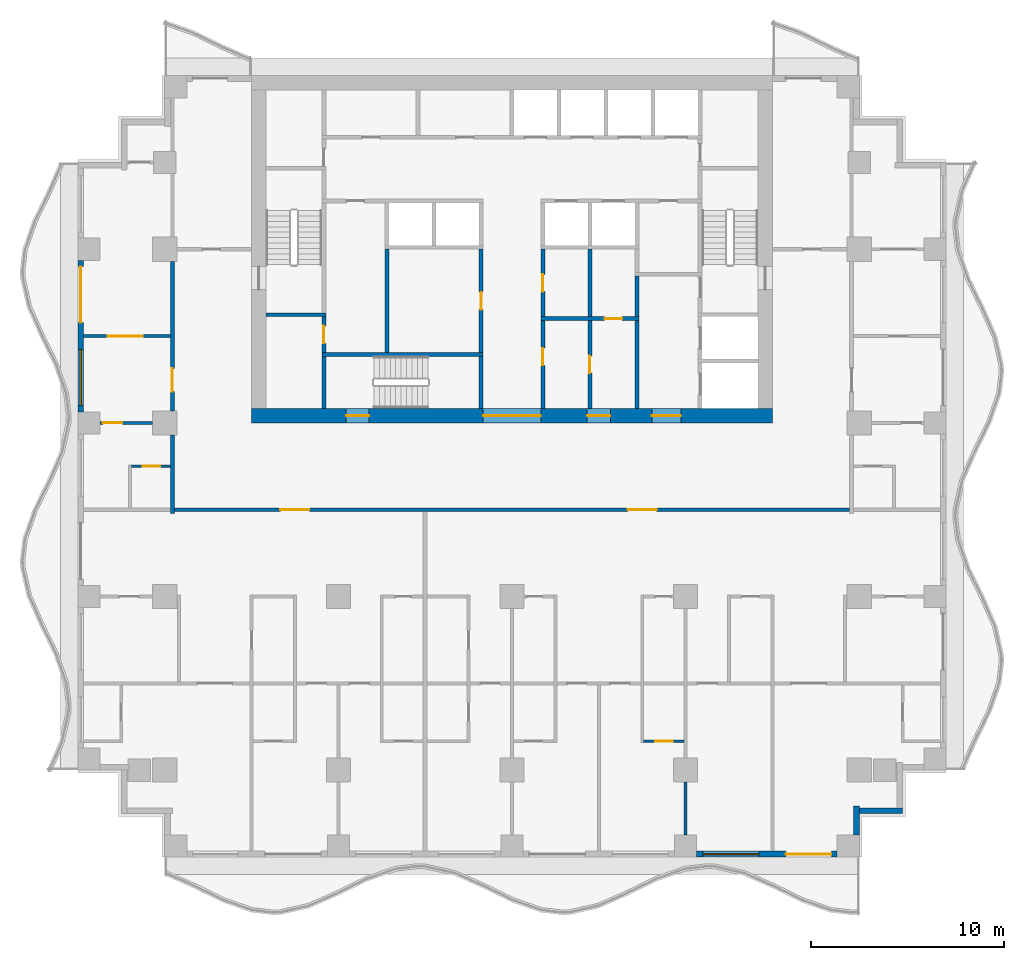
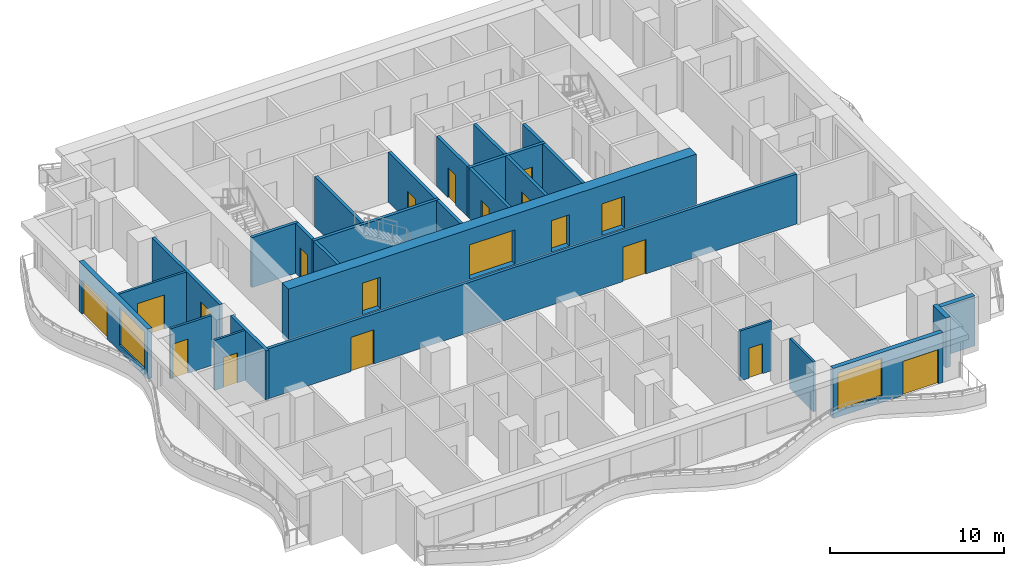
# One storey, part 3 of 10: 27 walls, 19 doors, 2 windows, 21 openings.
"""IFC4 building model written with IfcOpenShell, lengths in metres."""

from ifc_helpers import new_model, si_unit, direction, frame, frame_2d, origin, place, context, subcontext, project, spatial, rectangle, extrude, material, layer, layer_set, type_object, element, fill, save


model = new_model("IFC4")

# Units and contexts
model_context = context("Model", 3, precision=1e-05, world=origin(), true_north=direction((0.0, 1.0)))
body_context = subcontext(model_context, "Body", "Model", "MODEL_VIEW")
ifc_project = project(units=[si_unit("LENGTHUNIT", "METRE"), si_unit("AREAUNIT", "SQUARE_METRE"), si_unit("VOLUMEUNIT", "CUBIC_METRE"), si_unit("PLANEANGLEUNIT", "RADIAN"), si_unit("MASSUNIT", "GRAM", prefix="KILO")], contexts=[model_context])

# Site, building, storey
site_placement = place(None, origin())
site = spatial("IfcSite", under=ifc_project, at=site_placement, CompositionType="ELEMENT")
building_placement = place(site_placement, origin())
building = spatial("IfcBuilding", under=site, at=building_placement, Name="Orbiselva Terraces", CompositionType="ELEMENT")
storey_placement = place(building_placement, frame((0.0, 0.0, 140.2)))
storey = spatial("IfcBuildingStorey", under=building, at=storey_placement, Name="L35", CompositionType="ELEMENT", Elevation=140.2)

# Wall, openings, doors
ifc_material_1 = material(Name="Concrete C80/95", Category="concrete")
ifc_layer_1 = layer(ifc_material_1, 0.75)
ifc_layer_set_1 = layer_set([ifc_layer_1], Name="Concrete C80/95")
wall_type_1 = type_object("IfcWallType", Name="CORE WALL 750", PredefinedType="SHEAR", material=ifc_layer_set_1)
wall_1_placement = place(storey_placement, frame((-13.5, 4.875, -0.3), z_axis=(0.0, 0.0, 1.0), x_axis=(1.0, 0.0, 0.0)))
wall_1 = element("IfcWall", 1, at=wall_1_placement, inside=storey, type_object=wall_type_1, Name="Core wall L35 south", PredefinedType="SHEAR", context=body_context, shape_type="SweptSolid", body=[
    extrude(rectangle(XDim=27.0, YDim=0.75, at=frame_2d((13.5, 0.0))), origin(), (0.0, 0.0, 1.0), 3.8),
])
opening_1_placement = place(wall_1_placement, frame((12.0, 0.0, 0.3)))
opening_1 = element("IfcOpeningElement", 2, at=opening_1_placement, cuts=wall_1, Name="Opening DL3000", PredefinedType="OPENING", context=body_context, shape_type="SweptSolid", body=[
    extrude(rectangle(XDim=3.0, YDim=2.4, at=frame_2d((1.5, 1.2))), frame((0.0, 0.385, 0.0), z_axis=(0.0, -1.0, 0.0), x_axis=(1.0, 0.0, 0.0)), (0.0, 0.0, 1.0), 0.77),
])
opening_2_placement = place(wall_1_placement, frame((4.9, 0.0, 0.3)))
opening_2 = element("IfcOpeningElement", 3, at=opening_2_placement, cuts=wall_1, Name="Opening DS1200", PredefinedType="OPENING", context=body_context, shape_type="SweptSolid", body=[
    extrude(rectangle(XDim=1.2, YDim=2.2, at=frame_2d((0.6, 1.1))), frame((0.0, 0.385, 0.0), z_axis=(0.0, -1.0, 0.0), x_axis=(1.0, 0.0, 0.0)), (0.0, 0.0, 1.0), 0.77),
])
opening_3_placement = place(wall_1_placement, frame((20.75, 0.0, 0.3)))
opening_3 = element("IfcOpeningElement", 4, at=opening_3_placement, cuts=wall_1, Name="Opening DF1500", PredefinedType="OPENING", context=body_context, shape_type="SweptSolid", body=[
    extrude(rectangle(XDim=1.5, YDim=2.2, at=frame_2d((0.75, 1.1))), frame((0.0, 0.385, 0.0), z_axis=(0.0, -1.0, 0.0), x_axis=(1.0, 0.0, 0.0)), (0.0, 0.0, 1.0), 0.77),
])
opening_4_placement = place(wall_1_placement, frame((17.4, 0.0, 0.3)))
opening_4 = element("IfcOpeningElement", 5, at=opening_4_placement, cuts=wall_1, Name="Opening DV1200", PredefinedType="OPENING", context=body_context, shape_type="SweptSolid", body=[
    extrude(rectangle(XDim=1.2, YDim=2.2, at=frame_2d((0.6, 1.1))), frame((0.0, 0.385, 0.0), z_axis=(0.0, -1.0, 0.0), x_axis=(1.0, 0.0, 0.0)), (0.0, 0.0, 1.0), 0.77),
])
ifc_material_2 = material(Name="Steel fire door", Category="steel")
door_type_1 = type_object("IfcDoorType", Name="FFL DOOR 1500", OperationType="DOUBLE_DOOR_SINGLE_SWING", PredefinedType="DOOR", material=ifc_material_2)
door_1_placement = place(opening_3_placement, frame((1.5, 0.0, 0.0), z_axis=(0.0, 0.0, 1.0), x_axis=(-1.0, 0.0, 0.0)))
door_1 = element("IfcDoor", 6, at=door_1_placement, inside=storey, type_object=door_type_1, Name="L35 FIRE-FIGHTING LOBBY door", OperationType="DOUBLE_DOOR_SINGLE_SWING", OverallHeight=2.2, OverallWidth=1.5, PredefinedType="DOOR", context=body_context, shape_type="SweptSolid", body=[
    extrude(rectangle(XDim=1.5, YDim=2.2, at=frame_2d((0.75, 1.1))), frame((0.0, 0.025, 0.0), z_axis=(0.0, -1.0, 0.0), x_axis=(1.0, 0.0, 0.0)), (0.0, 0.0, 1.0), 0.05),
])
fill(opening_3, door_1)
door_type_2 = type_object("IfcDoorType", Name="LOBBY DOOR 3000", OperationType="DOUBLE_DOOR_SINGLE_SWING", PredefinedType="DOOR", material=ifc_material_2)
door_2_placement = place(opening_1_placement, frame((3.0, 0.0, 0.0), z_axis=(0.0, 0.0, 1.0), x_axis=(-1.0, 0.0, 0.0)))
door_2 = element("IfcDoor", 7, at=door_2_placement, inside=storey, type_object=door_type_2, Name="L35 LIFT LOBBY door", OperationType="DOUBLE_DOOR_SINGLE_SWING", OverallHeight=2.4, OverallWidth=3.0, PredefinedType="DOOR", context=body_context, shape_type="SweptSolid", body=[
    extrude(rectangle(XDim=3.0, YDim=2.4, at=frame_2d((1.5, 1.2))), frame((0.0, 0.025, 0.0), z_axis=(0.0, -1.0, 0.0), x_axis=(1.0, 0.0, 0.0)), (0.0, 0.0, 1.0), 0.05),
])
fill(opening_1, door_2)
door_type_3 = type_object("IfcDoorType", Name="SERVICE DOOR 1200", OperationType="NOTDEFINED", PredefinedType="DOOR", material=ifc_material_2)
door_3_placement = place(opening_4_placement, frame((1.2, 0.0, 0.0), z_axis=(0.0, 0.0, 1.0), x_axis=(-1.0, 0.0, 0.0)))
door_3 = element("IfcDoor", 8, at=door_3_placement, inside=storey, type_object=door_type_3, Name="L35 SPARE PARTS STORE door", OperationType="SINGLE_SWING_RIGHT", OverallHeight=2.2, OverallWidth=1.2, PredefinedType="DOOR", context=body_context, shape_type="SweptSolid", body=[
    extrude(rectangle(XDim=1.2, YDim=2.2, at=frame_2d((0.6, 1.1))), frame((0.0, 0.025, 0.0), z_axis=(0.0, -1.0, 0.0), x_axis=(1.0, 0.0, 0.0)), (0.0, 0.0, 1.0), 0.05),
])
fill(opening_4, door_3)
door_type_4 = type_object("IfcDoorType", Name="STAIR DOOR 1200", OperationType="NOTDEFINED", PredefinedType="DOOR", material=ifc_material_2)
door_4_placement = place(opening_2_placement, frame((1.2, 0.0, 0.0), z_axis=(0.0, 0.0, 1.0), x_axis=(-1.0, 0.0, 0.0)))
door_4 = element("IfcDoor", 9, at=door_4_placement, inside=storey, type_object=door_type_4, Name="L35 EXIT STAIR S3 door", OperationType="SINGLE_SWING_LEFT", OverallHeight=2.2, OverallWidth=1.2, PredefinedType="DOOR", context=body_context, shape_type="SweptSolid", body=[
    extrude(rectangle(XDim=1.2, YDim=2.2, at=frame_2d((0.6, 1.1))), frame((0.0, 0.025, 0.0), z_axis=(0.0, -1.0, 0.0), x_axis=(1.0, 0.0, 0.0)), (0.0, 0.0, 1.0), 0.05),
])
fill(opening_2, door_4)

# Wall, opening, door
ifc_material_3 = material(Name="Masonry blockwork", Category="masonry")
ifc_layer_2 = layer(ifc_material_3, 0.2)
ifc_layer_set_2 = layer_set([ifc_layer_2], Name="Masonry blockwork")
wall_type_2 = type_object("IfcWallType", Name="CORE-WALL-PARTITION-200", PredefinedType="PARTITIONING", material=ifc_layer_set_2)
wall_2_placement = place(storey_placement, frame((-9.75, 8.15, 0.0), z_axis=(0.0, 0.0, 1.0), x_axis=(0.0, 1.0, 0.0)))
wall_2 = element("IfcWall", 10, at=wall_2_placement, inside=storey, type_object=wall_type_2, Name="L35 core wall 05", PredefinedType="PARTITIONING", context=body_context, shape_type="SweptSolid", body=[
    extrude(rectangle(XDim=1.85, YDim=0.2, at=frame_2d((0.925, 0.0))), origin(), (0.0, 0.0, 1.0), 3.5),
])
opening_5_placement = place(wall_2_placement, frame((0.475, 0.0, 0.0)))
opening_5 = element("IfcOpeningElement", 11, at=opening_5_placement, cuts=wall_2, Name="Opening DR900", PredefinedType="OPENING", context=body_context, shape_type="SweptSolid", body=[
    extrude(rectangle(XDim=0.9, YDim=2.1, at=frame_2d((0.45, 1.05))), frame((0.0, 0.11, 0.0), z_axis=(0.0, -1.0, 0.0), x_axis=(1.0, 0.0, 0.0)), (0.0, 0.0, 1.0), 0.22),
])
door_type_5 = type_object("IfcDoorType", Name="ROOM DOOR 900", OperationType="NOTDEFINED", PredefinedType="DOOR", material=ifc_material_2)
door_5_placement = place(opening_5_placement, origin())
door_5 = element("IfcDoor", 12, at=door_5_placement, inside=storey, type_object=door_type_5, Name="L35 STAFF WC door", OperationType="SINGLE_SWING_RIGHT", OverallHeight=2.1, OverallWidth=0.9, PredefinedType="DOOR", context=body_context, shape_type="SweptSolid", body=[
    extrude(rectangle(XDim=0.9, YDim=2.1, at=frame_2d((0.45, 1.05))), frame((0.0, 0.025, 0.0), z_axis=(0.0, -1.0, 0.0), x_axis=(1.0, 0.0, 0.0)), (0.0, 0.0, 1.0), 0.05),
])
fill(opening_5, door_5)

# Wall
wall_3_placement = place(storey_placement, frame((-6.475, 8.15, 0.0), z_axis=(0.0, 0.0, 1.0), x_axis=(0.0, 1.0, 0.0)))
element("IfcWall", 13, at=wall_3_placement, inside=storey, type_object=wall_type_2, Name="L35 core wall 12", PredefinedType="PARTITIONING", context=body_context, shape_type="SweptSolid", body=[
    extrude(rectangle(XDim=5.35, YDim=0.2, at=frame_2d((2.675, 0.0))), origin(), (0.0, 0.0, 1.0), 3.5),
])

# Wall, opening, door
wall_4_placement = place(storey_placement, frame((4.0375, 9.8, 0.0), z_axis=(0.0, 0.0, 1.0), x_axis=(0.0, -1.0, 0.0)))
wall_4 = element("IfcWall", 14, at=wall_4_placement, inside=storey, type_object=wall_type_2, Name="L35 core wall 28", PredefinedType="PARTITIONING", context=body_context, shape_type="SweptSolid", body=[
    extrude(rectangle(XDim=4.55, YDim=0.2, at=frame_2d((2.275, 0.0))), origin(), (0.0, 0.0, 1.0), 3.5),
])
opening_6_placement = place(wall_4_placement, frame((1.825, 0.0, 0.0)))
opening_6 = element("IfcOpeningElement", 15, at=opening_6_placement, cuts=wall_4, Name="Opening DR900", PredefinedType="OPENING", context=body_context, shape_type="SweptSolid", body=[
    extrude(rectangle(XDim=0.9, YDim=2.1, at=frame_2d((0.45, 1.05))), frame((0.0, 0.11, 0.0), z_axis=(0.0, -1.0, 0.0), x_axis=(1.0, 0.0, 0.0)), (0.0, 0.0, 1.0), 0.22),
])
door_6_placement = place(opening_6_placement, origin())
door_6 = element("IfcDoor", 16, at=door_6_placement, inside=storey, type_object=door_type_5, Name="L35 SPARE PARTS STORE door", OperationType="SINGLE_SWING_LEFT", OverallHeight=2.1, OverallWidth=0.9, PredefinedType="DOOR", context=body_context, shape_type="SweptSolid", body=[
    extrude(rectangle(XDim=0.9, YDim=2.1, at=frame_2d((0.45, 1.05))), frame((0.0, 0.025, 0.0), z_axis=(0.0, -1.0, 0.0), x_axis=(1.0, 0.0, 0.0)), (0.0, 0.0, 1.0), 0.05),
])
fill(opening_6, door_6)

# Walls
wall_5_placement = place(storey_placement, frame((4.0375, 10.0, 0.0), z_axis=(0.0, 0.0, 1.0), x_axis=(0.0, 1.0, 0.0)))
element("IfcWall", 17, at=wall_5_placement, inside=storey, type_object=wall_type_2, Name="L35 core wall 29", PredefinedType="PARTITIONING", context=body_context, shape_type="SweptSolid", body=[
    extrude(rectangle(XDim=3.5, YDim=0.2, at=frame_2d((1.75, 0.0))), origin(), (0.0, 0.0, 1.0), 3.5),
])
ifc_material_4 = material(Name="Concrete C60/75", Category="concrete")
ifc_layer_3 = layer(ifc_material_4, 0.2)
ifc_layer_set_3 = layer_set([ifc_layer_3], Name="Concrete C60/75")
wall_type_3 = type_object("IfcWallType", Name="CORE-WALL-SHEAR-200", PredefinedType="SHEAR", material=ifc_layer_set_3)
wall_6_placement = place(storey_placement, frame((-12.75, 10.1, 0.0), z_axis=(0.0, 0.0, 1.0), x_axis=(1.0, 0.0, 0.0)))
element("IfcWall", 18, at=wall_6_placement, inside=storey, type_object=wall_type_3, Name="L35 core wall 01", PredefinedType="SHEAR", context=body_context, shape_type="SweptSolid", body=[
    extrude(rectangle(XDim=3.1, YDim=0.2, at=frame_2d((1.55, 0.0))), origin(), (0.0, 0.0, 1.0), 3.5),
])
wall_7_placement = place(storey_placement, frame((-9.75, 5.25, 0.0), z_axis=(0.0, 0.0, 1.0), x_axis=(0.0, 1.0, 0.0)))
element("IfcWall", 19, at=wall_7_placement, inside=storey, type_object=wall_type_3, Name="L35 core wall 03", PredefinedType="SHEAR", context=body_context, shape_type="SweptSolid", body=[
    extrude(rectangle(XDim=2.7, YDim=0.2, at=frame_2d((1.35, 0.0))), origin(), (0.0, 0.0, 1.0), 3.5),
])
wall_8_placement = place(storey_placement, frame((-9.85, 8.05, 0.0), z_axis=(0.0, 0.0, 1.0), x_axis=(1.0, 0.0, 0.0)))
element("IfcWall", 20, at=wall_8_placement, inside=storey, type_object=wall_type_3, Name="L35 core wall 04", PredefinedType="SHEAR", context=body_context, shape_type="SweptSolid", body=[
    extrude(rectangle(XDim=8.35, YDim=0.2, at=frame_2d((4.175, 0.0))), origin(), (0.0, 0.0, 1.0), 3.5),
])
wall_9_placement = place(storey_placement, frame((-1.6, 5.25, 0.0), z_axis=(0.0, 0.0, 1.0), x_axis=(0.0, 1.0, 0.0)))
element("IfcWall", 21, at=wall_9_placement, inside=storey, type_object=wall_type_3, Name="L35 core wall 17", PredefinedType="SHEAR", context=body_context, shape_type="SweptSolid", body=[
    extrude(rectangle(XDim=2.7, YDim=0.2, at=frame_2d((1.35, 0.0))), origin(), (0.0, 0.0, 1.0), 3.5),
])

# Wall, opening, door
wall_10_placement = place(storey_placement, frame((-1.6, 8.15, 0.0), z_axis=(0.0, 0.0, 1.0), x_axis=(0.0, 1.0, 0.0)))
wall_10 = element("IfcWall", 22, at=wall_10_placement, inside=storey, type_object=wall_type_3, Name="L35 core wall 18", PredefinedType="SHEAR", context=body_context, shape_type="SweptSolid", body=[
    extrude(rectangle(XDim=5.35, YDim=0.2, at=frame_2d((2.675, 0.0))), origin(), (0.0, 0.0, 1.0), 3.5),
])
opening_7_placement = place(wall_10_placement, frame((2.225, 0.0, 0.0)))
opening_7 = element("IfcOpeningElement", 23, at=opening_7_placement, cuts=wall_10, Name="Opening DR900", PredefinedType="OPENING", context=body_context, shape_type="SweptSolid", body=[
    extrude(rectangle(XDim=0.9, YDim=2.1, at=frame_2d((0.45, 1.05))), frame((0.0, 0.11, 0.0), z_axis=(0.0, -1.0, 0.0), x_axis=(1.0, 0.0, 0.0)), (0.0, 0.0, 1.0), 0.22),
])
door_7_placement = place(opening_7_placement, origin())
door_7 = element("IfcDoor", 24, at=door_7_placement, inside=storey, type_object=door_type_5, Name="L35 HOUSEKEEPING STORE door", OperationType="SINGLE_SWING_RIGHT", OverallHeight=2.1, OverallWidth=0.9, PredefinedType="DOOR", context=body_context, shape_type="SweptSolid", body=[
    extrude(rectangle(XDim=0.9, YDim=2.1, at=frame_2d((0.45, 1.05))), frame((0.0, 0.025, 0.0), z_axis=(0.0, -1.0, 0.0), x_axis=(1.0, 0.0, 0.0)), (0.0, 0.0, 1.0), 0.05),
])
fill(opening_7, door_7)

wall_11_placement = place(storey_placement, frame((1.6, 9.8, 0.0), z_axis=(0.0, 0.0, 1.0), x_axis=(0.0, -1.0, 0.0)))
wall_11 = element("IfcWall", 25, at=wall_11_placement, inside=storey, type_object=wall_type_3, Name="L35 core wall 21", PredefinedType="SHEAR", context=body_context, shape_type="SweptSolid", body=[
    extrude(rectangle(XDim=4.55, YDim=0.2, at=frame_2d((2.275, 0.0))), origin(), (0.0, 0.0, 1.0), 3.5),
])
opening_8_placement = place(wall_11_placement, frame((1.425, 0.0, 0.0)))
opening_8 = element("IfcOpeningElement", 26, at=opening_8_placement, cuts=wall_11, Name="Opening DR900", PredefinedType="OPENING", context=body_context, shape_type="SweptSolid", body=[
    extrude(rectangle(XDim=0.9, YDim=2.1, at=frame_2d((0.45, 1.05))), frame((0.0, 0.11, 0.0), z_axis=(0.0, -1.0, 0.0), x_axis=(1.0, 0.0, 0.0)), (0.0, 0.0, 1.0), 0.22),
])
door_8_placement = place(opening_8_placement, origin())
door_8 = element("IfcDoor", 27, at=door_8_placement, inside=storey, type_object=door_type_5, Name="L35 ELECTRICAL ROOM door", OperationType="SINGLE_SWING_LEFT", OverallHeight=2.1, OverallWidth=0.9, PredefinedType="DOOR", context=body_context, shape_type="SweptSolid", body=[
    extrude(rectangle(XDim=0.9, YDim=2.1, at=frame_2d((0.45, 1.05))), frame((0.0, 0.025, 0.0), z_axis=(0.0, -1.0, 0.0), x_axis=(1.0, 0.0, 0.0)), (0.0, 0.0, 1.0), 0.05),
])
fill(opening_8, door_8)

wall_12_placement = place(storey_placement, frame((1.5, 9.9, 0.0), z_axis=(0.0, 0.0, 1.0), x_axis=(1.0, 0.0, 0.0)))
wall_12 = element("IfcWall", 28, at=wall_12_placement, inside=storey, type_object=wall_type_3, Name="L35 core wall 22", PredefinedType="SHEAR", context=body_context, shape_type="SweptSolid", body=[
    extrude(rectangle(XDim=5.075, YDim=0.2, at=frame_2d((2.5375, 0.0))), origin(), (0.0, 0.0, 1.0), 3.5),
])
opening_9_placement = place(wall_12_placement, frame((3.3062, 0.0, 0.0)))
opening_9 = element("IfcOpeningElement", 29, at=opening_9_placement, cuts=wall_12, Name="Opening DR900", PredefinedType="OPENING", context=body_context, shape_type="SweptSolid", body=[
    extrude(rectangle(XDim=0.9, YDim=2.1, at=frame_2d((0.45, 1.05))), frame((0.0, 0.11, 0.0), z_axis=(0.0, -1.0, 0.0), x_axis=(1.0, 0.0, 0.0)), (0.0, 0.0, 1.0), 0.22),
])
door_9_placement = place(opening_9_placement, origin())
door_9 = element("IfcDoor", 30, at=door_9_placement, inside=storey, type_object=door_type_5, Name="L35 LINEN STORE door", OperationType="SINGLE_SWING_RIGHT", OverallHeight=2.1, OverallWidth=0.9, PredefinedType="DOOR", context=body_context, shape_type="SweptSolid", body=[
    extrude(rectangle(XDim=0.9, YDim=2.1, at=frame_2d((0.45, 1.05))), frame((0.0, 0.025, 0.0), z_axis=(0.0, -1.0, 0.0), x_axis=(1.0, 0.0, 0.0)), (0.0, 0.0, 1.0), 0.05),
])
fill(opening_9, door_9)

wall_13_placement = place(storey_placement, frame((1.6, 13.5, 0.0), z_axis=(0.0, 0.0, 1.0), x_axis=(0.0, -1.0, 0.0)))
wall_13 = element("IfcWall", 31, at=wall_13_placement, inside=storey, type_object=wall_type_3, Name="L35 core wall 23", PredefinedType="SHEAR", context=body_context, shape_type="SweptSolid", body=[
    extrude(rectangle(XDim=3.5, YDim=0.2, at=frame_2d((1.75, 0.0))), origin(), (0.0, 0.0, 1.0), 3.5),
])
opening_10_placement = place(wall_13_placement, frame((1.3, 0.0, 0.0)))
opening_10 = element("IfcOpeningElement", 32, at=opening_10_placement, cuts=wall_13, Name="Opening DR900", PredefinedType="OPENING", context=body_context, shape_type="SweptSolid", body=[
    extrude(rectangle(XDim=0.9, YDim=2.1, at=frame_2d((0.45, 1.05))), frame((0.0, 0.11, 0.0), z_axis=(0.0, -1.0, 0.0), x_axis=(1.0, 0.0, 0.0)), (0.0, 0.0, 1.0), 0.22),
])
door_10_placement = place(opening_10_placement, origin())
door_10 = element("IfcDoor", 33, at=door_10_placement, inside=storey, type_object=door_type_5, Name="L35 COMMS ROOM door", OperationType="SINGLE_SWING_RIGHT", OverallHeight=2.1, OverallWidth=0.9, PredefinedType="DOOR", context=body_context, shape_type="SweptSolid", body=[
    extrude(rectangle(XDim=0.9, YDim=2.1, at=frame_2d((0.45, 1.05))), frame((0.0, 0.025, 0.0), z_axis=(0.0, -1.0, 0.0), x_axis=(1.0, 0.0, 0.0)), (0.0, 0.0, 1.0), 0.05),
])
fill(opening_10, door_10)

# Walls
wall_14_placement = place(storey_placement, frame((6.475, 5.25, 0.0), z_axis=(0.0, 0.0, 1.0), x_axis=(0.0, 1.0, 0.0)))
element("IfcWall", 34, at=wall_14_placement, inside=storey, type_object=wall_type_3, Name="L35 core wall 32", PredefinedType="SHEAR", context=body_context, shape_type="SweptSolid", body=[
    extrude(rectangle(XDim=4.55, YDim=0.2, at=frame_2d((2.275, 0.0))), origin(), (0.0, 0.0, 1.0), 3.5),
])
wall_15_placement = place(storey_placement, frame((6.475, 10.0, 0.0), z_axis=(0.0, 0.0, 1.0), x_axis=(0.0, 1.0, 0.0)))
element("IfcWall", 35, at=wall_15_placement, inside=storey, type_object=wall_type_3, Name="L35 core wall 33", PredefinedType="SHEAR", context=body_context, shape_type="SweptSolid", body=[
    extrude(rectangle(XDim=2.1, YDim=0.2, at=frame_2d((1.05, 0.0))), origin(), (0.0, 0.0, 1.0), 3.5),
])

# Wall, openings, door, window
ifc_material_5 = material(Name="Terracotta cladding on masonry backing", Category="masonry")
ifc_layer_4 = layer(ifc_material_5, 0.3)
ifc_layer_set_4 = layer_set([ifc_layer_4], Name="Terracotta cladding on masonry backing")
wall_type_4 = type_object("IfcWallType", Name="ENV-WALL-TERRACOTTA-300", PredefinedType="SOLIDWALL", material=ifc_layer_set_4)
wall_16_placement = place(storey_placement, frame((16.85, -17.85, 0.0), z_axis=(0.0, 0.0, 1.0), x_axis=(-1.0, 0.0, 0.0)))
wall_16 = element("IfcWall", 36, at=wall_16_placement, inside=storey, type_object=wall_type_4, Name="Facade wall L35 S", PredefinedType="SOLIDWALL", context=body_context, shape_type="SweptSolid", body=[
    extrude(rectangle(XDim=7.275, YDim=0.3, at=frame_2d((3.6375, 0.0))), origin(), (0.0, 0.0, 1.0), 3.5),
])
opening_11_placement = place(wall_16_placement, frame((4.05, 0.0, 0.45)))
opening_11 = element("IfcOpeningElement", 37, at=opening_11_placement, cuts=wall_16, Name="Opening WN8", PredefinedType="OPENING", context=body_context, shape_type="SweptSolid", body=[
    extrude(rectangle(XDim=2.9, YDim=2.65, at=frame_2d((1.45, 1.325))), frame((0.0, 0.16, 0.0), z_axis=(0.0, -1.0, 0.0), x_axis=(1.0, 0.0, 0.0)), (0.0, 0.0, 1.0), 0.32),
])
opening_12_placement = place(wall_16_placement, frame((0.3, 0.0, 0.0)))
opening_12 = element("IfcOpeningElement", 38, at=opening_12_placement, cuts=wall_16, Name="Opening Z3-B-E12", PredefinedType="OPENING", context=body_context, shape_type="SweptSolid", body=[
    extrude(rectangle(XDim=2.35, YDim=2.4, at=frame_2d((1.175, 1.2))), frame((0.0, 0.16, 0.0), z_axis=(0.0, -1.0, 0.0), x_axis=(1.0, 0.0, 0.0)), (0.0, 0.0, 1.0), 0.32),
])
ifc_material_6 = material(Name="Clear low-e glazing in aluminium frame", Category="aluminium")
door_type_6 = type_object("IfcDoorType", Name="BALCONY DOOR 2350 X 2400", OperationType="DOUBLE_DOOR_SLIDING", PredefinedType="DOOR", material=ifc_material_6)
door_11_placement = place(opening_12_placement, origin())
door_11 = element("IfcDoor", 39, at=door_11_placement, inside=storey, type_object=door_type_6, Name="Z3-B-E12", OperationType="SINGLE_SWING_LEFT", OverallHeight=2.4, OverallWidth=2.35, PredefinedType="DOOR", context=body_context, shape_type="SweptSolid", body=[
    extrude(rectangle(XDim=2.35, YDim=2.4, at=frame_2d((1.175, 1.2))), frame((0.0, 0.025, 0.0), z_axis=(0.0, -1.0, 0.0), x_axis=(1.0, 0.0, 0.0)), (0.0, 0.0, 1.0), 0.05),
])
fill(opening_12, door_11)
window_type = type_object("IfcWindowType", Name="WINDOW 2900 X 2650 S450", PartitioningType="TRIPLE_PANEL_VERTICAL", PredefinedType="WINDOW", material=ifc_material_6)
window_1_placement = place(opening_11_placement, origin())
window_1 = element("IfcWindow", 40, at=window_1_placement, inside=storey, type_object=window_type, Name="Window L35 S", OverallHeight=2.65, OverallWidth=2.9, PartitioningType="SINGLE_PANEL", PredefinedType="WINDOW", context=body_context, shape_type="SweptSolid", body=[
    extrude(rectangle(XDim=2.9, YDim=2.65, at=frame_2d((1.45, 1.325))), frame((0.0, 0.03, 0.0), z_axis=(0.0, -1.0, 0.0), x_axis=(1.0, 0.0, 0.0)), (0.0, 0.0, 1.0), 0.06),
])
fill(opening_11, window_1)

# Walls
wall_17_placement = place(storey_placement, frame((17.85, -15.35, 0.0), z_axis=(0.0, 0.0, 1.0), x_axis=(0.0, -1.0, 0.0)))
element("IfcWall", 41, at=wall_17_placement, inside=storey, type_object=wall_type_4, Name="Facade wall L35 STEP", PredefinedType="SOLIDWALL", context=body_context, shape_type="SweptSolid", body=[
    extrude(rectangle(XDim=1.5, YDim=0.3, at=frame_2d((0.75, 0.0))), origin(), (0.0, 0.0, 1.0), 3.5),
])
wall_18_placement = place(storey_placement, frame((20.25, -15.6, 0.0), z_axis=(0.0, 0.0, 1.0), x_axis=(-1.0, 0.0, 0.0)))
element("IfcWall", 42, at=wall_18_placement, inside=storey, type_object=wall_type_4, Name="Facade wall L35 STEP", PredefinedType="SOLIDWALL", context=body_context, shape_type="SweptSolid", body=[
    extrude(rectangle(XDim=2.25, YDim=0.3, at=frame_2d((1.125, 0.0))), origin(), (0.0, 0.0, 1.0), 3.5),
])

# Wall, openings, door, window
wall_19_placement = place(storey_placement, frame((-22.35, 5.075, 0.0), z_axis=(0.0, 0.0, 1.0), x_axis=(0.0, 1.0, 0.0)))
wall_19 = element("IfcWall", 43, at=wall_19_placement, inside=storey, type_object=wall_type_4, Name="Facade wall L35 W", PredefinedType="SOLIDWALL", context=body_context, shape_type="SweptSolid", body=[
    extrude(rectangle(XDim=7.85, YDim=0.3, at=frame_2d((3.925, 0.0))), origin(), (0.0, 0.0, 1.0), 3.5),
])
opening_13_placement = place(wall_19_placement, frame((4.625, 0.0, 0.0)))
opening_13 = element("IfcOpeningElement", 44, at=opening_13_placement, cuts=wall_19, Name="Opening Z3-B-E09", PredefinedType="OPENING", context=body_context, shape_type="SweptSolid", body=[
    extrude(rectangle(XDim=2.9, YDim=2.4, at=frame_2d((1.45, 1.2))), frame((0.0, 0.16, 0.0), z_axis=(0.0, -1.0, 0.0), x_axis=(1.0, 0.0, 0.0)), (0.0, 0.0, 1.0), 0.32),
])
opening_14_placement = place(wall_19_placement, frame((0.325, 0.0, 0.45)))
opening_14 = element("IfcOpeningElement", 45, at=opening_14_placement, cuts=wall_19, Name="Opening WN8", PredefinedType="OPENING", context=body_context, shape_type="SweptSolid", body=[
    extrude(rectangle(XDim=2.9, YDim=2.65, at=frame_2d((1.45, 1.325))), frame((0.0, 0.16, 0.0), z_axis=(0.0, -1.0, 0.0), x_axis=(1.0, 0.0, 0.0)), (0.0, 0.0, 1.0), 0.32),
])
door_type_7 = type_object("IfcDoorType", Name="BALCONY DOOR 2900 X 2400", OperationType="DOUBLE_DOOR_SLIDING", PredefinedType="DOOR", material=ifc_material_6)
door_12_placement = place(opening_13_placement, origin())
door_12 = element("IfcDoor", 46, at=door_12_placement, inside=storey, type_object=door_type_7, Name="Z3-B-E09", OperationType="SINGLE_SWING_LEFT", OverallHeight=2.4, OverallWidth=2.9, PredefinedType="DOOR", context=body_context, shape_type="SweptSolid", body=[
    extrude(rectangle(XDim=2.9, YDim=2.4, at=frame_2d((1.45, 1.2))), frame((0.0, 0.025, 0.0), z_axis=(0.0, -1.0, 0.0), x_axis=(1.0, 0.0, 0.0)), (0.0, 0.0, 1.0), 0.05),
])
fill(opening_13, door_12)
window_2_placement = place(opening_14_placement, origin())
window_2 = element("IfcWindow", 47, at=window_2_placement, inside=storey, type_object=window_type, Name="Window L35 W", OverallHeight=2.65, OverallWidth=2.9, PartitioningType="SINGLE_PANEL", PredefinedType="WINDOW", context=body_context, shape_type="SweptSolid", body=[
    extrude(rectangle(XDim=2.9, YDim=2.65, at=frame_2d((1.45, 1.325))), frame((0.0, 0.03, 0.0), z_axis=(0.0, -1.0, 0.0), x_axis=(1.0, 0.0, 0.0)), (0.0, 0.0, 1.0), 0.06),
])
fill(opening_14, window_2)

# Wall, openings, doors
ifc_material_7 = material(Name="Plasterboard on steel stud partition", Category="steel")
ifc_layer_5 = layer(ifc_material_7, 0.2)
ifc_layer_set_5 = layer_set([ifc_layer_5], Name="Plasterboard on steel stud partition")
wall_type_5 = type_object("IfcWallType", Name="UNIT-ENTRANCE-WALL-200", PredefinedType="PARTITIONING", material=ifc_layer_set_5)
wall_20_placement = place(storey_placement, frame((17.5, 0.0, 0.0), z_axis=(0.0, 0.0, 1.0), x_axis=(-1.0, 0.0, 0.0)))
wall_20 = element("IfcWall", 48, at=wall_20_placement, inside=storey, type_object=wall_type_5, Name="PARTITION L35-027", PredefinedType="PARTITIONING", context=body_context, shape_type="SweptSolid", body=[
    extrude(rectangle(XDim=35.0, YDim=0.2, at=frame_2d((17.5, 0.0))), origin(), (0.0, 0.0, 1.0), 3.5),
])
opening_15_placement = place(wall_20_placement, frame((28.0, 0.0, 0.0)))
opening_15 = element("IfcOpeningElement", 49, at=opening_15_placement, cuts=wall_20, Name="Opening Z3-B-13", PredefinedType="OPENING", context=body_context, shape_type="SweptSolid", body=[
    extrude(rectangle(XDim=1.5, YDim=2.4, at=frame_2d((0.75, 1.2))), frame((0.0, 0.11, 0.0), z_axis=(0.0, -1.0, 0.0), x_axis=(1.0, 0.0, 0.0)), (0.0, 0.0, 1.0), 0.22),
])
opening_16_placement = place(wall_20_placement, frame((10.0, 0.0, 0.0)))
opening_16 = element("IfcOpeningElement", 50, at=opening_16_placement, cuts=wall_20, Name="Opening Z3-B-23", PredefinedType="OPENING", context=body_context, shape_type="SweptSolid", body=[
    extrude(rectangle(XDim=1.5, YDim=2.4, at=frame_2d((0.75, 1.2))), frame((0.0, 0.11, 0.0), z_axis=(0.0, -1.0, 0.0), x_axis=(1.0, 0.0, 0.0)), (0.0, 0.0, 1.0), 0.22),
])
ifc_material_8 = material(Name="Painted timber door leaf", Category="wood")
door_type_8 = type_object("IfcDoorType", Name="ENTRANCE DOUBLE DOOR 1500", OperationType="NOTDEFINED", PredefinedType="DOOR", material=ifc_material_8)
door_13_placement = place(opening_15_placement, origin())
door_13 = element("IfcDoor", 51, at=door_13_placement, inside=storey, type_object=door_type_8, Name="Z3-B-13", OperationType="DOUBLE_DOOR_SINGLE_SWING", OverallHeight=2.4, OverallWidth=1.5, PredefinedType="DOOR", context=body_context, shape_type="SweptSolid", body=[
    extrude(rectangle(XDim=1.5, YDim=2.4, at=frame_2d((0.75, 1.2))), frame((0.0, 0.025, 0.0), z_axis=(0.0, -1.0, 0.0), x_axis=(1.0, 0.0, 0.0)), (0.0, 0.0, 1.0), 0.05),
])
fill(opening_15, door_13)
door_14_placement = place(opening_16_placement, origin())
door_14 = element("IfcDoor", 52, at=door_14_placement, inside=storey, type_object=door_type_8, Name="Z3-B-23", OperationType="DOUBLE_DOOR_SINGLE_SWING", OverallHeight=2.4, OverallWidth=1.5, PredefinedType="DOOR", context=body_context, shape_type="SweptSolid", body=[
    extrude(rectangle(XDim=1.5, YDim=2.4, at=frame_2d((0.75, 1.2))), frame((0.0, 0.025, 0.0), z_axis=(0.0, -1.0, 0.0), x_axis=(1.0, 0.0, 0.0)), (0.0, 0.0, 1.0), 0.05),
])
fill(opening_16, door_14)

# Wall
wall_21_placement = place(storey_placement, frame((-17.6, -0.2, 0.0), z_axis=(0.0, 0.0, 1.0), x_axis=(0.0, 1.0, 0.0)))
element("IfcWall", 53, at=wall_21_placement, inside=storey, type_object=wall_type_5, Name="PARTITION L35-042", PredefinedType="PARTITIONING", context=body_context, shape_type="SweptSolid", body=[
    extrude(rectangle(XDim=4.075, YDim=0.2, at=frame_2d((2.0375, 0.0))), origin(), (0.0, 0.0, 1.0), 3.5),
])

# Wall, opening, door
wall_22_placement = place(storey_placement, frame((-17.6, 5.125, 0.0), z_axis=(0.0, 0.0, 1.0), x_axis=(0.0, 1.0, 0.0)))
wall_22 = element("IfcWall", 54, at=wall_22_placement, inside=storey, type_object=wall_type_5, Name="PARTITION L35-043", PredefinedType="PARTITIONING", context=body_context, shape_type="SweptSolid", body=[
    extrude(rectangle(XDim=7.75, YDim=0.2, at=frame_2d((3.875, 0.0))), origin(), (0.0, 0.0, 1.0), 3.5),
])
opening_17_placement = place(wall_22_placement, frame((1.0, 0.0, 0.0)))
opening_17 = element("IfcOpeningElement", 55, at=opening_17_placement, cuts=wall_22, Name="Opening Z3-B-05", PredefinedType="OPENING", context=body_context, shape_type="SweptSolid", body=[
    extrude(rectangle(XDim=1.2, YDim=2.4, at=frame_2d((0.6, 1.2))), frame((0.0, 0.11, 0.0), z_axis=(0.0, -1.0, 0.0), x_axis=(1.0, 0.0, 0.0)), (0.0, 0.0, 1.0), 0.22),
])
door_type_9 = type_object("IfcDoorType", Name="ENTRANCE DOOR 1200", OperationType="NOTDEFINED", PredefinedType="DOOR", material=ifc_material_8)
door_15_placement = place(opening_17_placement, origin())
door_15 = element("IfcDoor", 56, at=door_15_placement, inside=storey, type_object=door_type_9, Name="Z3-B-05", OperationType="SINGLE_SWING_LEFT", OverallHeight=2.4, OverallWidth=1.2, PredefinedType="DOOR", context=body_context, shape_type="SweptSolid", body=[
    extrude(rectangle(XDim=1.2, YDim=2.4, at=frame_2d((0.6, 1.2))), frame((0.0, 0.025, 0.0), z_axis=(0.0, -1.0, 0.0), x_axis=(1.0, 0.0, 0.0)), (0.0, 0.0, 1.0), 0.05),
])
fill(opening_17, door_15)

ifc_layer_6 = layer(ifc_material_7, 0.15)
ifc_layer_set_6 = layer_set([ifc_layer_6], Name="Plasterboard on steel stud partition")
wall_type_6 = type_object("IfcWallType", Name="UNIT-PARTITION-150", PredefinedType="PARTITIONING", material=ifc_layer_set_6)
wall_23_placement = place(storey_placement, frame((6.825, -12.0, 0.0), z_axis=(0.0, 0.0, 1.0), x_axis=(1.0, 0.0, 0.0)))
wall_23 = element("IfcWall", 57, at=wall_23_placement, inside=storey, type_object=wall_type_6, Name="PARTITION L35-006", PredefinedType="PARTITIONING", context=body_context, shape_type="SweptSolid", body=[
    extrude(rectangle(XDim=2.1, YDim=0.15, at=frame_2d((1.05, 0.0))), origin(), (0.0, 0.0, 1.0), 3.5),
])
opening_18_placement = place(wall_23_placement, frame((0.6, 0.0, 0.0)))
opening_18 = element("IfcOpeningElement", 58, at=opening_18_placement, cuts=wall_23, Name="Opening Z3-B-34", PredefinedType="OPENING", context=body_context, shape_type="SweptSolid", body=[
    extrude(rectangle(XDim=0.9, YDim=2.1, at=frame_2d((0.45, 1.05))), frame((0.0, 0.085, 0.0), z_axis=(0.0, -1.0, 0.0), x_axis=(1.0, 0.0, 0.0)), (0.0, 0.0, 1.0), 0.17),
])
door_type_10 = type_object("IfcDoorType", Name="BATH DOOR 900", OperationType="NOTDEFINED", PredefinedType="DOOR", material=ifc_material_8)
door_16_placement = place(opening_18_placement, origin())
door_16 = element("IfcDoor", 59, at=door_16_placement, inside=storey, type_object=door_type_10, Name="Z3-B-34", OperationType="SINGLE_SWING_LEFT", OverallHeight=2.1, OverallWidth=0.9, PredefinedType="DOOR", context=body_context, shape_type="SweptSolid", body=[
    extrude(rectangle(XDim=0.9, YDim=2.1, at=frame_2d((0.45, 1.05))), frame((0.0, 0.025, 0.0), z_axis=(0.0, -1.0, 0.0), x_axis=(1.0, 0.0, 0.0)), (0.0, 0.0, 1.0), 0.05),
])
fill(opening_18, door_16)

wall_24_placement = place(storey_placement, frame((-17.7, 2.25, 0.0), z_axis=(0.0, 0.0, 1.0), x_axis=(-1.0, 0.0, 0.0)))
wall_24 = element("IfcWall", 60, at=wall_24_placement, inside=storey, type_object=wall_type_6, Name="PARTITION L35-030", PredefinedType="PARTITIONING", context=body_context, shape_type="SweptSolid", body=[
    extrude(rectangle(XDim=2.03, YDim=0.15, at=frame_2d((1.015, 0.0))), origin(), (0.0, 0.0, 1.0), 3.5),
])
opening_19_placement = place(wall_24_placement, frame((0.53, 0.0, 0.0)))
opening_19 = element("IfcOpeningElement", 61, at=opening_19_placement, cuts=wall_24, Name="Opening Z3-B-04", PredefinedType="OPENING", context=body_context, shape_type="SweptSolid", body=[
    extrude(rectangle(XDim=0.9, YDim=2.1, at=frame_2d((0.45, 1.05))), frame((0.0, 0.085, 0.0), z_axis=(0.0, -1.0, 0.0), x_axis=(1.0, 0.0, 0.0)), (0.0, 0.0, 1.0), 0.17),
])
door_17_placement = place(opening_19_placement, origin())
door_17 = element("IfcDoor", 62, at=door_17_placement, inside=storey, type_object=door_type_10, Name="Z3-B-04", OperationType="SINGLE_SWING_LEFT", OverallHeight=2.1, OverallWidth=0.9, PredefinedType="DOOR", context=body_context, shape_type="SweptSolid", body=[
    extrude(rectangle(XDim=0.9, YDim=2.1, at=frame_2d((0.45, 1.05))), frame((0.0, 0.025, 0.0), z_axis=(0.0, -1.0, 0.0), x_axis=(1.0, 0.0, 0.0)), (0.0, 0.0, 1.0), 0.05),
])
fill(opening_19, door_17)

wall_25_placement = place(storey_placement, frame((-18.625, 4.5, 0.0), z_axis=(0.0, 0.0, 1.0), x_axis=(-1.0, 0.0, 0.0)))
wall_25 = element("IfcWall", 63, at=wall_25_placement, inside=storey, type_object=wall_type_6, Name="PARTITION L35-032", PredefinedType="PARTITIONING", context=body_context, shape_type="SweptSolid", body=[
    extrude(rectangle(XDim=2.725, YDim=0.15, at=frame_2d((1.3625, 0.0))), origin(), (0.0, 0.0, 1.0), 3.5),
])
opening_20_placement = place(wall_25_placement, frame((1.575, 0.0, 0.0)))
opening_20 = element("IfcOpeningElement", 64, at=opening_20_placement, cuts=wall_25, Name="Opening Z3-B-03", PredefinedType="OPENING", context=body_context, shape_type="SweptSolid", body=[
    extrude(rectangle(XDim=1.0, YDim=2.4, at=frame_2d((0.5, 1.2))), frame((0.0, 0.085, 0.0), z_axis=(0.0, -1.0, 0.0), x_axis=(1.0, 0.0, 0.0)), (0.0, 0.0, 1.0), 0.17),
])
door_type_11 = type_object("IfcDoorType", Name="ROOM DOOR 1000", OperationType="NOTDEFINED", PredefinedType="DOOR", material=ifc_material_8)
door_18_placement = place(opening_20_placement, origin())
door_18 = element("IfcDoor", 65, at=door_18_placement, inside=storey, type_object=door_type_11, Name="Z3-B-03", OperationType="SINGLE_SWING_RIGHT", OverallHeight=2.4, OverallWidth=1.0, PredefinedType="DOOR", context=body_context, shape_type="SweptSolid", body=[
    extrude(rectangle(XDim=1.0, YDim=2.4, at=frame_2d((0.5, 1.2))), frame((0.0, 0.025, 0.0), z_axis=(0.0, -1.0, 0.0), x_axis=(1.0, 0.0, 0.0)), (0.0, 0.0, 1.0), 0.05),
])
fill(opening_20, door_18)

wall_26_placement = place(storey_placement, frame((-22.2, 9.0, 0.0), z_axis=(0.0, 0.0, 1.0), x_axis=(1.0, 0.0, 0.0)))
wall_26 = element("IfcWall", 66, at=wall_26_placement, inside=storey, type_object=wall_type_6, Name="PARTITION L35-034", PredefinedType="PARTITIONING", context=body_context, shape_type="SweptSolid", body=[
    extrude(rectangle(XDim=4.5, YDim=0.15, at=frame_2d((2.25, 0.0))), origin(), (0.0, 0.0, 1.0), 3.5),
])
opening_21_placement = place(wall_26_placement, frame((1.25, 0.0, 0.0)))
opening_21 = element("IfcOpeningElement", 67, at=opening_21_placement, cuts=wall_26, Name="Opening Z3-B-06", PredefinedType="OPENING", context=body_context, shape_type="SweptSolid", body=[
    extrude(rectangle(XDim=1.8, YDim=2.4, at=frame_2d((0.9, 1.2))), frame((0.0, 0.085, 0.0), z_axis=(0.0, -1.0, 0.0), x_axis=(1.0, 0.0, 0.0)), (0.0, 0.0, 1.0), 0.17),
])
door_type_12 = type_object("IfcDoorType", Name="DOUBLE DOOR 1800", OperationType="NOTDEFINED", PredefinedType="DOOR", material=ifc_material_8)
door_19_placement = place(opening_21_placement, origin())
door_19 = element("IfcDoor", 68, at=door_19_placement, inside=storey, type_object=door_type_12, Name="Z3-B-06", OperationType="DOUBLE_DOOR_SINGLE_SWING", OverallHeight=2.4, OverallWidth=1.8, PredefinedType="DOOR", context=body_context, shape_type="SweptSolid", body=[
    extrude(rectangle(XDim=1.8, YDim=2.4, at=frame_2d((0.9, 1.2))), frame((0.0, 0.025, 0.0), z_axis=(0.0, -1.0, 0.0), x_axis=(1.0, 0.0, 0.0)), (0.0, 0.0, 1.0), 0.05),
])
fill(opening_21, door_19)

# Wall
wall_27_placement = place(storey_placement, frame((9.0, -16.85, 0.0), z_axis=(0.0, 0.0, 1.0), x_axis=(0.0, 1.0, 0.0)))
element("IfcWall", 69, at=wall_27_placement, inside=storey, type_object=wall_type_6, Name="PARTITION L35-059", PredefinedType="PARTITIONING", context=body_context, shape_type="SweptSolid", body=[
    extrude(rectangle(XDim=2.725, YDim=0.15, at=frame_2d((1.3625, 0.0))), origin(), (0.0, 0.0, 1.0), 3.5),
])

save(model, "model.ifc")
